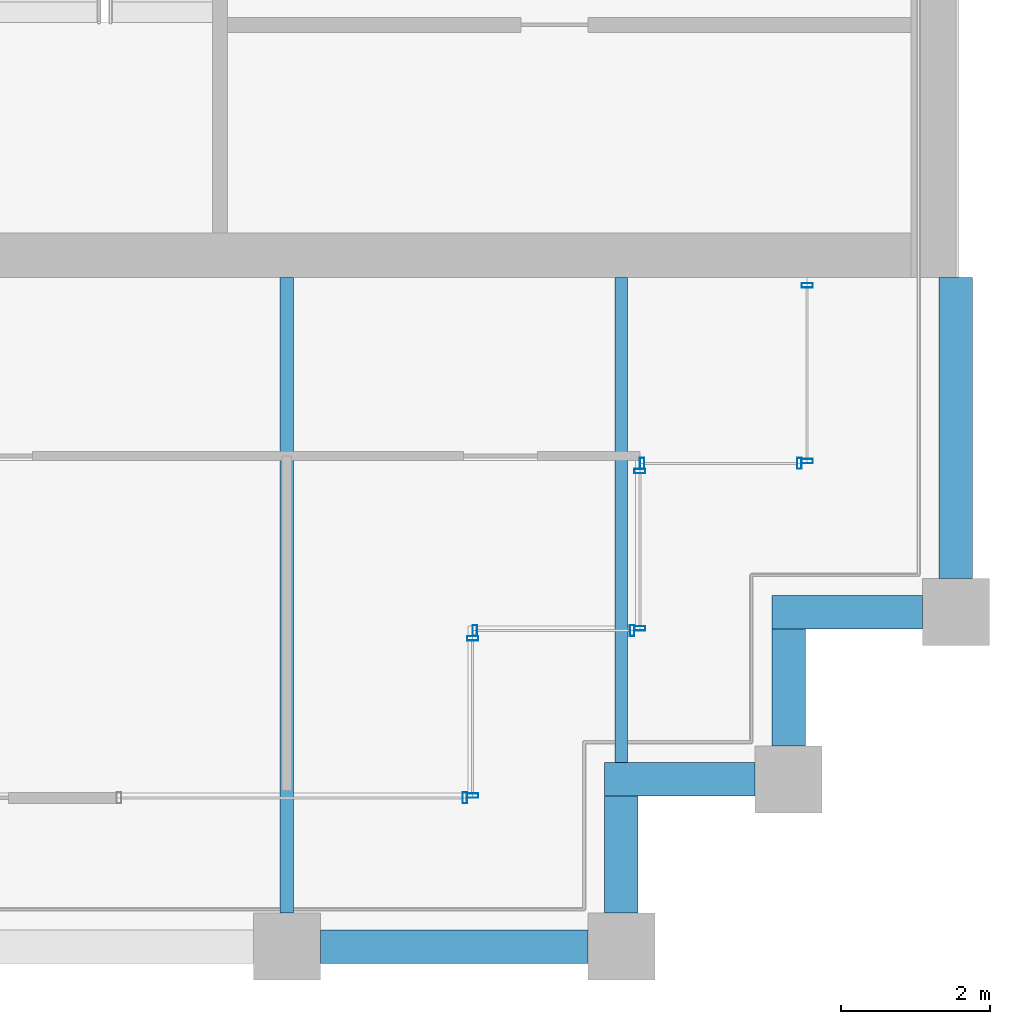
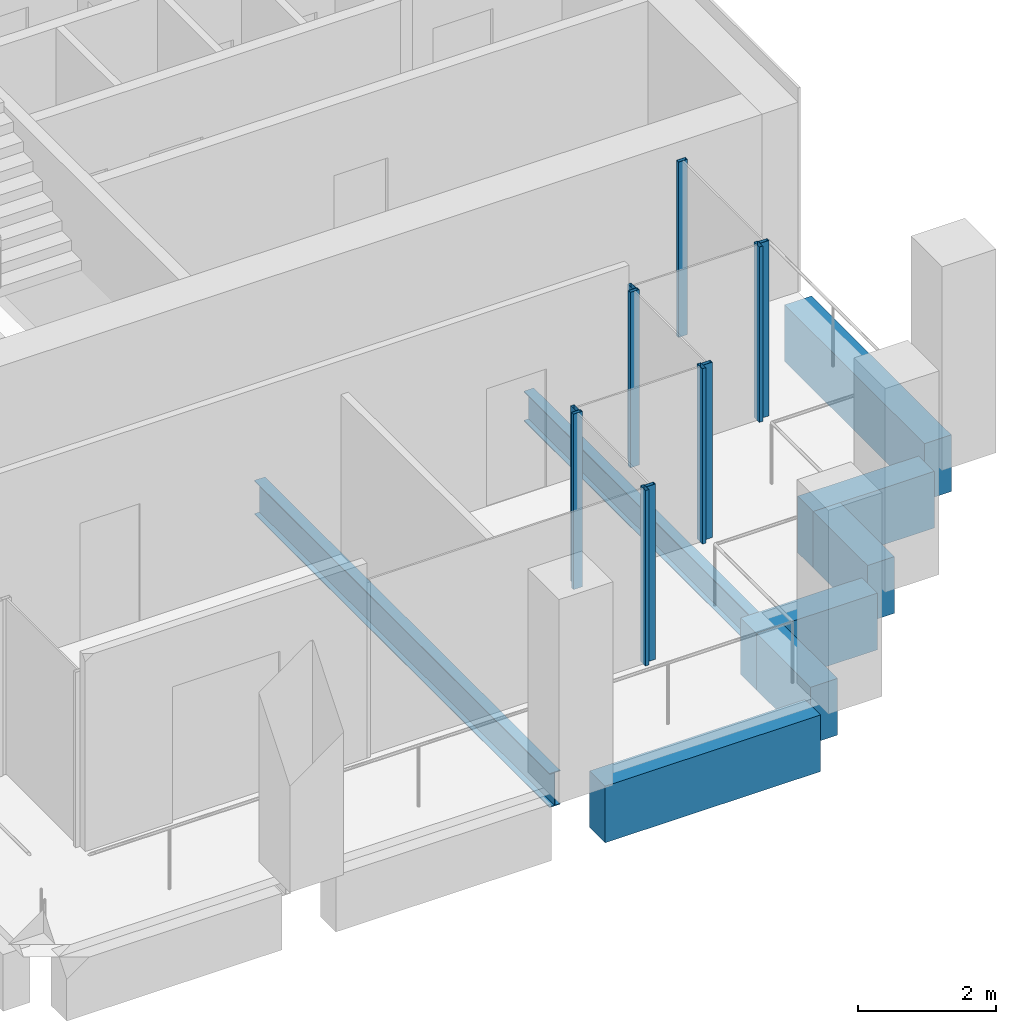
# One storey, part 31 of 40: 11 members, 8 beams, 6 elements without a shape of their own.
"""IFC4 building model written with IfcOpenShell, lengths in metres."""

from ifc_helpers import new_model, si_unit, direction, frame, origin, origin_2d, place, context, subcontext, project, spatial, rectangle, hollow_rectangle, i_section, extrude, material, material_profile, profile_set, type_object, element, aggregate, save


model = new_model("IFC4")

# Units and contexts
model_context = context("Model", 3, precision=1e-05, world=origin(), true_north=direction((0.0, 1.0)))
body_context = subcontext(model_context, "Body", "Model", "MODEL_VIEW")
ifc_project = project(units=[si_unit("LENGTHUNIT", "METRE"), si_unit("AREAUNIT", "SQUARE_METRE"), si_unit("VOLUMEUNIT", "CUBIC_METRE"), si_unit("PLANEANGLEUNIT", "RADIAN"), si_unit("MASSUNIT", "GRAM", prefix="KILO")], contexts=[model_context])

# Site, building, storey
site_placement = place(None, origin())
site = spatial("IfcSite", under=ifc_project, at=site_placement, CompositionType="ELEMENT")
building_placement = place(site_placement, origin())
building = spatial("IfcBuilding", under=site, at=building_placement, Name="Altepetl Exchange Towers", CompositionType="ELEMENT")
storey_placement = place(building_placement, frame((0.0, 0.0, 179.800048828125)))
storey = spatial("IfcBuildingStorey", under=building, at=storey_placement, Name="L45", CompositionType="ELEMENT", Elevation=179.800048828125)

# Beams
ifc_material_1 = material(Name="Steel S355", Category="steel")
ifc_material_profile_1 = material_profile(ifc_material_1, i_section(OverallWidth=0.166015625, OverallDepth=0.529052734375, WebThickness=0.009765625, FlangeThickness=0.013671875, at=origin_2d()), Name="W21X50")
ifc_profile_set_1 = profile_set([ifc_material_profile_1], Name="Steel S355")
beam_type_1 = type_object("IfcBeamType", Name="Floor beam W21X50", PredefinedType="BEAM", material=ifc_profile_set_1)
beam_1_placement = place(storey_placement, frame((112.5, 29.47509765625, -0.41455078125), z_axis=(0.0, 1.0, 0.0), x_axis=(-1.0, 0.0, 0.0)))
element("IfcBeam", 1, at=beam_1_placement, inside=storey, type_object=beam_type_1, Name="bm:B:L45:003", PredefinedType="BEAM", context=body_context, shape_type="SweptSolid", body=[
    extrude(i_section(OverallWidth=0.166015625, OverallDepth=0.529052734375, WebThickness=0.009765625, FlangeThickness=0.013671875, at=origin_2d()), origin(), (0.0, 0.0, 1.0), 6.52490234375),
])
ifc_material_profile_2 = material_profile(ifc_material_1, i_section(OverallWidth=0.177978515625, OverallDepth=0.59912109375, WebThickness=0.010009765625, FlangeThickness=0.0126953125, at=origin_2d()), Name="W24X55")
ifc_profile_set_2 = profile_set([ifc_material_profile_2], Name="Steel S355")
beam_type_2 = type_object("IfcBeamType", Name="Floor beam W24X55", PredefinedType="BEAM", material=ifc_profile_set_2)
beam_2_placement = place(storey_placement, frame((108.0, 27.449951171875, -0.449462890625), z_axis=(0.0, 1.0, 0.0), x_axis=(-1.0, 0.0, 0.0)))
element("IfcBeam", 2, at=beam_2_placement, inside=storey, type_object=beam_type_2, Name="bm:B:L45:002", PredefinedType="BEAM", context=body_context, shape_type="SweptSolid", body=[
    extrude(i_section(OverallWidth=0.177978515625, OverallDepth=0.59912109375, WebThickness=0.010009765625, FlangeThickness=0.0126953125, at=origin_2d()), origin(), (0.0, 0.0, 1.0), 8.550048828125),
])

# Curtain wall, member
ifc_material_2 = material(Name="Aluminium 6063-T6 glazing", Category="aluminium")
curtain_wall_type = type_object("IfcCurtainWallType", Name="Loggia glazing system", PredefinedType="NOTDEFINED", material=ifc_material_2)
curtain_wall_1_placement = place(storey_placement, origin())
curtain_wall_1 = element("IfcCurtainWall", 3, at=curtain_wall_1_placement, inside=storey, type_object=curtain_wall_type, Name="CW1 run", PredefinedType="NOTDEFINED")
ifc_material_3 = material(Name="Aluminium 6063-T6", Category="aluminium")
ifc_material_profile_3 = material_profile(ifc_material_3, hollow_rectangle(XDim=0.06005859375, YDim=0.14990234375, WallThickness=0.0029296875, at=origin_2d()), Name="Mullion 60x150 aluminium")
ifc_profile_set_3 = profile_set([ifc_material_profile_3], Name="Aluminium 6063-T6")
member_type = type_object("IfcMemberType", Name="Mullion 60x150 aluminium", PredefinedType="MULLION", material=ifc_profile_set_3)
member_1_placement = place(storey_placement, frame((110.39501953125, 29.0, 0.0)))
member_1 = element("IfcMember", 4, at=member_1_placement, type_object=member_type, Name="MU1 mullion", PredefinedType="MULLION", context=body_context, shape_type="SweptSolid", body=[
    extrude(hollow_rectangle(XDim=0.06005859375, YDim=0.14990234375, WallThickness=0.0029296875, at=origin_2d()), origin(), (0.0, 0.0, 1.0), 3.099853515625),
])
aggregate(curtain_wall_1, [member_1])

# Curtain wall, members
curtain_wall_2_placement = place(storey_placement, origin())
curtain_wall_2 = element("IfcCurtainWall", 5, at=curtain_wall_2_placement, inside=storey, type_object=curtain_wall_type, Name="CW1 run", PredefinedType="NOTDEFINED")
member_2_placement = place(storey_placement, frame((110.5, 29.030029296875, 0.0), z_axis=(0.0, 0.0, 1.0), x_axis=(0.0, 1.0, 0.0)))
member_2 = element("IfcMember", 6, at=member_2_placement, type_object=member_type, Name="MU1 mullion", PredefinedType="MULLION", context=body_context, shape_type="SweptSolid", body=[
    extrude(hollow_rectangle(XDim=0.06005859375, YDim=0.14990234375, WallThickness=0.0029296875, at=origin_2d()), origin(), (0.0, 0.0, 1.0), 3.099853515625),
])
member_3_placement = place(storey_placement, frame((110.5, 31.14501953125, 0.0), z_axis=(0.0, 0.0, 1.0), x_axis=(0.0, 1.0, 0.0)))
member_3 = element("IfcMember", 7, at=member_3_placement, type_object=member_type, Name="MU1 mullion", PredefinedType="MULLION", context=body_context, shape_type="SweptSolid", body=[
    extrude(hollow_rectangle(XDim=0.06005859375, YDim=0.14990234375, WallThickness=0.0029296875, at=origin_2d()), origin(), (0.0, 0.0, 1.0), 3.099853515625),
])
aggregate(curtain_wall_2, [member_2, member_3])

curtain_wall_3_placement = place(storey_placement, origin())
curtain_wall_3 = element("IfcCurtainWall", 8, at=curtain_wall_3_placement, inside=storey, type_object=curtain_wall_type, Name="CW1 run", PredefinedType="NOTDEFINED")
member_4_placement = place(storey_placement, frame((110.530029296875, 31.25, 0.0)))
member_4 = element("IfcMember", 9, at=member_4_placement, type_object=member_type, Name="MU1 mullion", PredefinedType="MULLION", context=body_context, shape_type="SweptSolid", body=[
    extrude(hollow_rectangle(XDim=0.06005859375, YDim=0.14990234375, WallThickness=0.0029296875, at=origin_2d()), origin(), (0.0, 0.0, 1.0), 3.099853515625),
])
member_5_placement = place(storey_placement, frame((112.64501953125, 31.25, 0.0)))
member_5 = element("IfcMember", 10, at=member_5_placement, type_object=member_type, Name="MU1 mullion", PredefinedType="MULLION", context=body_context, shape_type="SweptSolid", body=[
    extrude(hollow_rectangle(XDim=0.06005859375, YDim=0.14990234375, WallThickness=0.0029296875, at=origin_2d()), origin(), (0.0, 0.0, 1.0), 3.099853515625),
])
aggregate(curtain_wall_3, [member_4, member_5])

curtain_wall_4_placement = place(storey_placement, origin())
curtain_wall_4 = element("IfcCurtainWall", 11, at=curtain_wall_4_placement, inside=storey, type_object=curtain_wall_type, Name="CW1 run", PredefinedType="NOTDEFINED")
member_6_placement = place(storey_placement, frame((112.75, 31.280029296875, 0.0), z_axis=(0.0, 0.0, 1.0), x_axis=(0.0, 1.0, 0.0)))
member_6 = element("IfcMember", 12, at=member_6_placement, type_object=member_type, Name="MU1 mullion", PredefinedType="MULLION", context=body_context, shape_type="SweptSolid", body=[
    extrude(hollow_rectangle(XDim=0.06005859375, YDim=0.14990234375, WallThickness=0.0029296875, at=origin_2d()), origin(), (0.0, 0.0, 1.0), 3.099853515625),
])
member_7_placement = place(storey_placement, frame((112.75, 33.39501953125, 0.0), z_axis=(0.0, 0.0, 1.0), x_axis=(0.0, 1.0, 0.0)))
member_7 = element("IfcMember", 13, at=member_7_placement, type_object=member_type, Name="MU1 mullion", PredefinedType="MULLION", context=body_context, shape_type="SweptSolid", body=[
    extrude(hollow_rectangle(XDim=0.06005859375, YDim=0.14990234375, WallThickness=0.0029296875, at=origin_2d()), origin(), (0.0, 0.0, 1.0), 3.099853515625),
])
aggregate(curtain_wall_4, [member_6, member_7])

curtain_wall_5_placement = place(storey_placement, origin())
curtain_wall_5 = element("IfcCurtainWall", 14, at=curtain_wall_5_placement, inside=storey, type_object=curtain_wall_type, Name="CW1 run", PredefinedType="NOTDEFINED")
member_8_placement = place(storey_placement, frame((112.780029296875, 33.5, 0.0)))
member_8 = element("IfcMember", 15, at=member_8_placement, type_object=member_type, Name="MU1 mullion", PredefinedType="MULLION", context=body_context, shape_type="SweptSolid", body=[
    extrude(hollow_rectangle(XDim=0.06005859375, YDim=0.14990234375, WallThickness=0.0029296875, at=origin_2d()), origin(), (0.0, 0.0, 1.0), 3.099853515625),
])
member_9_placement = place(storey_placement, frame((114.89501953125, 33.5, 0.0)))
member_9 = element("IfcMember", 16, at=member_9_placement, type_object=member_type, Name="MU1 mullion", PredefinedType="MULLION", context=body_context, shape_type="SweptSolid", body=[
    extrude(hollow_rectangle(XDim=0.06005859375, YDim=0.14990234375, WallThickness=0.0029296875, at=origin_2d()), origin(), (0.0, 0.0, 1.0), 3.099853515625),
])
aggregate(curtain_wall_5, [member_8, member_9])

curtain_wall_6_placement = place(storey_placement, origin())
curtain_wall_6 = element("IfcCurtainWall", 17, at=curtain_wall_6_placement, inside=storey, type_object=curtain_wall_type, Name="CW1 run", PredefinedType="NOTDEFINED")
member_10_placement = place(storey_placement, frame((115.0, 33.530029296875, 0.0), z_axis=(0.0, 0.0, 1.0), x_axis=(0.0, 1.0, 0.0)))
member_10 = element("IfcMember", 18, at=member_10_placement, type_object=member_type, Name="MU1 mullion", PredefinedType="MULLION", context=body_context, shape_type="SweptSolid", body=[
    extrude(hollow_rectangle(XDim=0.06005859375, YDim=0.14990234375, WallThickness=0.0029296875, at=origin_2d()), origin(), (0.0, 0.0, 1.0), 3.099853515625),
])
member_11_placement = place(storey_placement, frame((115.0, 35.89501953125, 0.0), z_axis=(0.0, 0.0, 1.0), x_axis=(0.0, 1.0, 0.0)))
member_11 = element("IfcMember", 19, at=member_11_placement, type_object=member_type, Name="MU1 mullion", PredefinedType="MULLION", context=body_context, shape_type="SweptSolid", body=[
    extrude(hollow_rectangle(XDim=0.06005859375, YDim=0.14990234375, WallThickness=0.0029296875, at=origin_2d()), origin(), (0.0, 0.0, 1.0), 3.099853515625),
])
aggregate(curtain_wall_6, [member_10, member_11])

# Beams
ifc_material_4 = material(Name="Concrete C50/60 precast with cantera blanca facing", Category="concrete")
ifc_material_profile_4 = material_profile(ifc_material_4, rectangle(XDim=0.449951171875, YDim=1.0, at=origin_2d()), Name="450 x 1000")
ifc_profile_set_4 = profile_set([ifc_material_profile_4], Name="Concrete C50/60 precast with cantera blanca facing")
beam_type_3 = type_object("IfcBeamType", Name="Spandrel beam 450x1000 cantera blanca", PredefinedType="SPANDREL", material=ifc_profile_set_4)
beam_3_placement = place(storey_placement, frame((117.0, 31.949951171875, -0.650146484375), z_axis=(0.0, 1.0, 0.0), x_axis=(-1.0, 0.0, 0.0)))
element("IfcBeam", 20, at=beam_3_placement, inside=storey, type_object=beam_type_3, Name="sp:B:L45:007", PredefinedType="SPANDREL", context=body_context, shape_type="SweptSolid", body=[
    extrude(rectangle(XDim=0.449951171875, YDim=1.0, at=origin_2d()), origin(), (0.0, 0.0, 1.0), 4.050048828125),
])
ifc_material_5 = material(Name="Concrete C50/60 precast with tezontle facing", Category="concrete")
ifc_material_profile_5 = material_profile(ifc_material_5, rectangle(XDim=0.449951171875, YDim=1.0, at=origin_2d()), Name="450 x 1000")
ifc_profile_set_5 = profile_set([ifc_material_profile_5], Name="Concrete C50/60 precast with tezontle facing")
beam_type_4 = type_object("IfcBeamType", Name="Spandrel beam 450x1000 tezontle", PredefinedType="SPANDREL", material=ifc_profile_set_5)
beam_4_placement = place(storey_placement, frame((108.449951171875, 27.0, -0.650146484375), z_axis=(1.0, 0.0, 0.0), x_axis=(0.0, 1.0, 0.0)))
element("IfcBeam", 21, at=beam_4_placement, inside=storey, type_object=beam_type_4, Name="sp:B:L45:002", PredefinedType="SPANDREL", context=body_context, shape_type="SweptSolid", body=[
    extrude(rectangle(XDim=0.449951171875, YDim=1.0, at=origin_2d()), origin(), (0.0, 0.0, 1.0), 3.60009765625),
])
beam_5_placement = place(storey_placement, frame((112.5, 27.449951171875, -0.650146484375), z_axis=(0.0, 1.0, 0.0), x_axis=(-1.0, 0.0, 0.0)))
element("IfcBeam", 22, at=beam_5_placement, inside=storey, type_object=beam_type_4, Name="sp:B:L45:003", PredefinedType="SPANDREL", context=body_context, shape_type="SweptSolid", body=[
    extrude(rectangle(XDim=0.449951171875, YDim=1.0, at=origin_2d()), origin(), (0.0, 0.0, 1.0), 1.574951171875),
])
beam_6_placement = place(storey_placement, frame((112.27490234375, 29.25, -0.650146484375), z_axis=(1.0, 0.0, 0.0), x_axis=(0.0, 1.0, 0.0)))
element("IfcBeam", 23, at=beam_6_placement, inside=storey, type_object=beam_type_4, Name="sp:B:L45:004", PredefinedType="SPANDREL", context=body_context, shape_type="SweptSolid", body=[
    extrude(rectangle(XDim=0.449951171875, YDim=1.0, at=origin_2d()), origin(), (0.0, 0.0, 1.0), 2.025146484375),
])
beam_7_placement = place(storey_placement, frame((114.75, 29.699951171875, -0.650146484375), z_axis=(0.0, 1.0, 0.0), x_axis=(-1.0, 0.0, 0.0)))
element("IfcBeam", 24, at=beam_7_placement, inside=storey, type_object=beam_type_4, Name="sp:B:L45:005", PredefinedType="SPANDREL", context=body_context, shape_type="SweptSolid", body=[
    extrude(rectangle(XDim=0.449951171875, YDim=1.0, at=origin_2d()), origin(), (0.0, 0.0, 1.0), 1.574951171875),
])
beam_8_placement = place(storey_placement, frame((114.52490234375, 31.5, -0.650146484375), z_axis=(1.0, 0.0, 0.0), x_axis=(0.0, 1.0, 0.0)))
element("IfcBeam", 25, at=beam_8_placement, inside=storey, type_object=beam_type_4, Name="sp:B:L45:006", PredefinedType="SPANDREL", context=body_context, shape_type="SweptSolid", body=[
    extrude(rectangle(XDim=0.449951171875, YDim=1.0, at=origin_2d()), origin(), (0.0, 0.0, 1.0), 2.025146484375),
])

save(model, "model.ifc")
